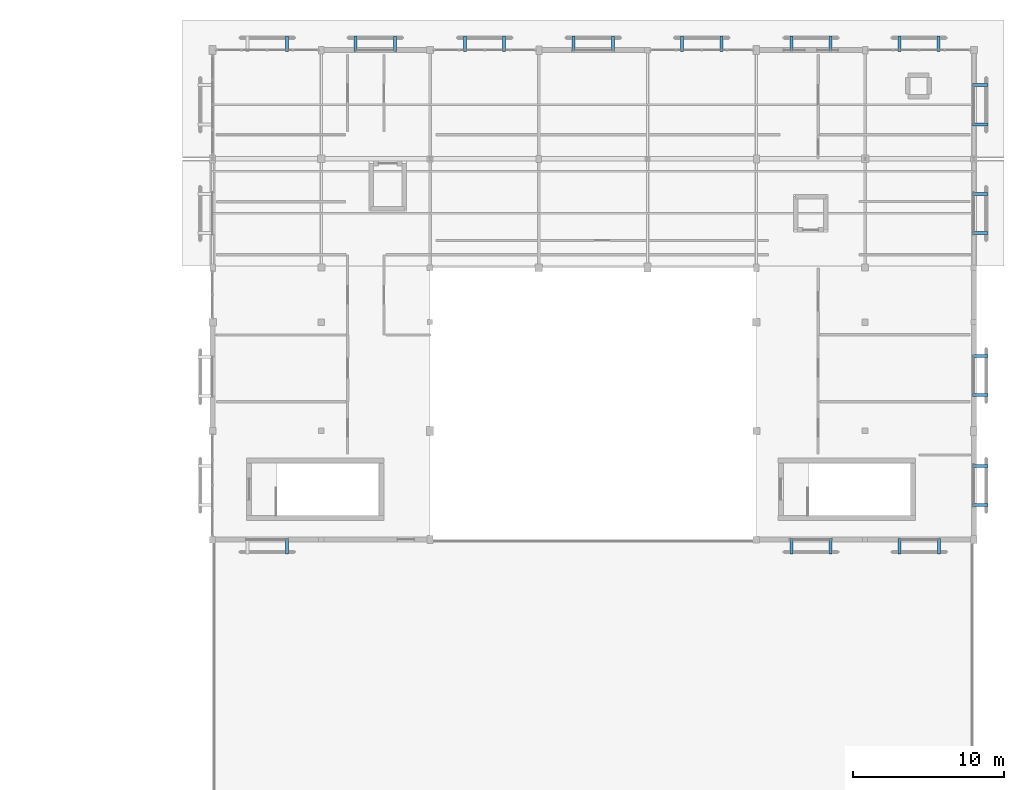
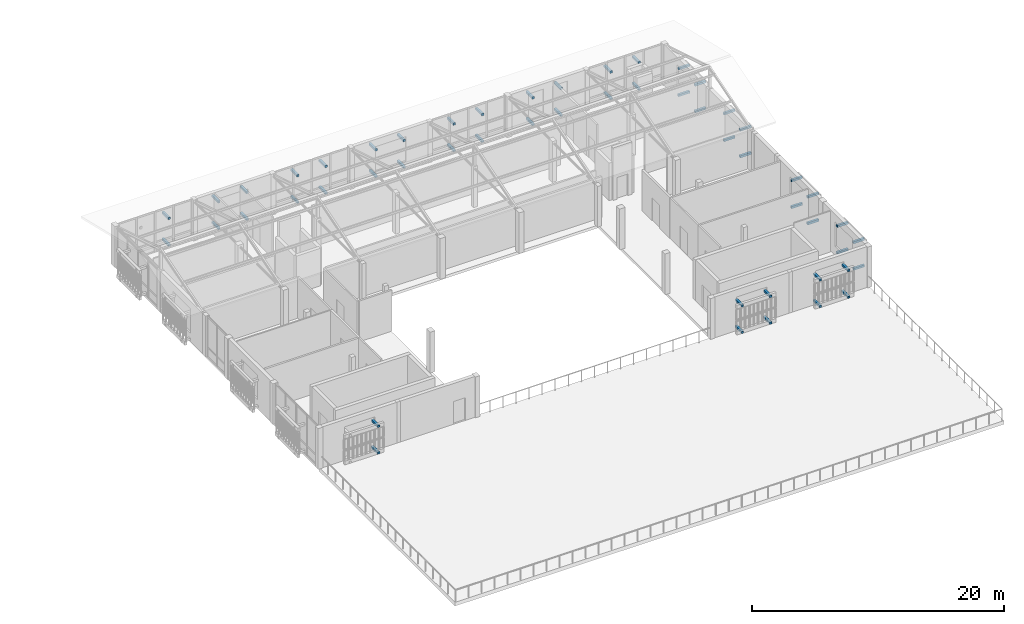
# One storey, part 55 of 61: 52 discrete accessories.
"""IFC4 building model written with IfcOpenShell, lengths in metres."""

from ifc_helpers import new_model, si_unit, direction, frame, origin, origin_2d, place, context, subcontext, project, spatial, rectangle, extrude, material, type_object, element, save


model = new_model("IFC4")

# Units and contexts
model_context = context("Model", 3, precision=1e-05, world=origin(), true_north=direction((0.0, 1.0)))
body_context = subcontext(model_context, "Body", "Model", "MODEL_VIEW")
ifc_project = project(units=[si_unit("LENGTHUNIT", "METRE"), si_unit("AREAUNIT", "SQUARE_METRE"), si_unit("VOLUMEUNIT", "CUBIC_METRE"), si_unit("PLANEANGLEUNIT", "RADIAN"), si_unit("MASSUNIT", "GRAM", prefix="KILO")], contexts=[model_context])

# Site, building, storey
site_placement = place(None, origin())
site = spatial("IfcSite", under=ifc_project, at=site_placement, CompositionType="ELEMENT")
building_placement = place(site_placement, origin())
building = spatial("IfcBuilding", under=site, at=building_placement, Name="Mazaris Harbour Polytechnic", CompositionType="ELEMENT")
storey_placement = place(building_placement, frame((0.0, 0.0, 18.0)))
storey = spatial("IfcBuildingStorey", under=building, at=storey_placement, Name="L04", CompositionType="ELEMENT", Elevation=18.0)

# Discrete accessories
ifc_material = material(Name="Stainless Steel S355", Category="steel")
discrete_accessory_type = type_object("IfcDiscreteAccessoryType", Name="Stainless Screen Outrigger Bracket 200x1020x200", PredefinedType="BRACKET", material=ifc_material)
for number, where, z_axis, x_axis, name in (
    (1, (127.31591796875, 67.9599609375, 0.16015625), (0.0, 0.0, 1.0), (-1.0, 0.0, 0.0), "Screen Outrigger Bracket 1937"),
    (2, (127.31591796875, 67.9599609375, 2.740234375), (0.0, 0.0, 1.0), (-1.0, 0.0, 0.0), "Screen Outrigger Bracket 1938"),
    (3, (163.31591796875, 67.9599609375, 0.16015625), (0.0, 0.0, 1.0), (-1.0, 0.0, 0.0), "Screen Outrigger Bracket 1941"),
    (4, (163.31591796875, 67.9599609375, 2.740234375), (0.0, 0.0, 1.0), (-1.0, 0.0, 0.0), "Screen Outrigger Bracket 1942"),
    (5, (160.72412109375, 67.9599609375, 0.16015625), (0.0, 0.0, 1.0), (-1.0, 0.0, 0.0), "Screen Outrigger Bracket 1943"),
    (6, (160.72412109375, 67.9599609375, 2.740234375), (0.0, 0.0, 1.0), (-1.0, 0.0, 0.0), "Screen Outrigger Bracket 1944"),
    (7, (170.48095703125, 67.9599609375, 0.16015625), (0.0, 0.0, 1.0), (-1.0, 0.0, 0.0), "Screen Outrigger Bracket 1945"),
    (8, (170.48095703125, 67.9599609375, 2.740234375), (0.0, 0.0, 1.0), (-1.0, 0.0, 0.0), "Screen Outrigger Bracket 1946"),
    (9, (167.888916015625, 67.9599609375, 0.16015625), (0.0, 0.0, 1.0), (-1.0, 0.0, 0.0), "Screen Outrigger Bracket 1947"),
    (10, (167.888916015625, 67.9599609375, 2.740234375), (0.0, 0.0, 1.0), (-1.0, 0.0, 0.0), "Screen Outrigger Bracket 1948"),
    (11, (127.31591796875, 101.239990234375, 0.16015625), (0.0, 0.0, 1.0), (1.0, 0.0, 0.0), "Screen Outrigger Bracket 1951"),
    (12, (127.31591796875, 101.239990234375, 2.740234375), (0.0, 0.0, 1.0), (1.0, 0.0, 0.0), "Screen Outrigger Bracket 1952"),
    (13, (131.87890625, 101.239990234375, 0.16015625), (0.0, 0.0, 1.0), (1.0, 0.0, 0.0), "Screen Outrigger Bracket 1953"),
    (14, (131.87890625, 101.239990234375, 2.740234375), (0.0, 0.0, 1.0), (1.0, 0.0, 0.0), "Screen Outrigger Bracket 1954"),
    (15, (134.470947265625, 101.239990234375, 0.16015625), (0.0, 0.0, 1.0), (1.0, 0.0, 0.0), "Screen Outrigger Bracket 1955"),
    (16, (134.470947265625, 101.239990234375, 2.740234375), (0.0, 0.0, 1.0), (1.0, 0.0, 0.0), "Screen Outrigger Bracket 1956"),
    (17, (139.118896484375, 101.239990234375, 0.16015625), (0.0, 0.0, 1.0), (1.0, 0.0, 0.0), "Screen Outrigger Bracket 1957"),
    (18, (139.118896484375, 101.239990234375, 2.740234375), (0.0, 0.0, 1.0), (1.0, 0.0, 0.0), "Screen Outrigger Bracket 1958"),
    (19, (141.7109375, 101.239990234375, 0.16015625), (0.0, 0.0, 1.0), (1.0, 0.0, 0.0), "Screen Outrigger Bracket 1959"),
    (20, (141.7109375, 101.239990234375, 2.740234375), (0.0, 0.0, 1.0), (1.0, 0.0, 0.0), "Screen Outrigger Bracket 1960"),
    (21, (146.30908203125, 101.239990234375, 0.16015625), (0.0, 0.0, 1.0), (1.0, 0.0, 0.0), "Screen Outrigger Bracket 1961"),
    (22, (146.30908203125, 101.239990234375, 2.740234375), (0.0, 0.0, 1.0), (1.0, 0.0, 0.0), "Screen Outrigger Bracket 1962"),
    (23, (148.90087890625, 101.239990234375, 0.16015625), (0.0, 0.0, 1.0), (1.0, 0.0, 0.0), "Screen Outrigger Bracket 1963"),
    (24, (148.90087890625, 101.239990234375, 2.740234375), (0.0, 0.0, 1.0), (1.0, 0.0, 0.0), "Screen Outrigger Bracket 1964"),
    (25, (153.489013671875, 101.239990234375, 0.16015625), (0.0, 0.0, 1.0), (1.0, 0.0, 0.0), "Screen Outrigger Bracket 1965"),
    (26, (153.489013671875, 101.239990234375, 2.740234375), (0.0, 0.0, 1.0), (1.0, 0.0, 0.0), "Screen Outrigger Bracket 1966"),
    (27, (156.0810546875, 101.239990234375, 0.16015625), (0.0, 0.0, 1.0), (1.0, 0.0, 0.0), "Screen Outrigger Bracket 1967"),
    (28, (156.0810546875, 101.239990234375, 2.740234375), (0.0, 0.0, 1.0), (1.0, 0.0, 0.0), "Screen Outrigger Bracket 1968"),
    (29, (160.72412109375, 101.239990234375, 0.16015625), (0.0, 0.0, 1.0), (1.0, 0.0, 0.0), "Screen Outrigger Bracket 1969"),
    (30, (160.72412109375, 101.239990234375, 2.740234375), (0.0, 0.0, 1.0), (1.0, 0.0, 0.0), "Screen Outrigger Bracket 1970"),
    (31, (163.31591796875, 101.239990234375, 0.16015625), (0.0, 0.0, 1.0), (1.0, 0.0, 0.0), "Screen Outrigger Bracket 1971"),
    (32, (163.31591796875, 101.239990234375, 2.740234375), (0.0, 0.0, 1.0), (1.0, 0.0, 0.0), "Screen Outrigger Bracket 1972"),
    (33, (167.87890625, 101.239990234375, 0.16015625), (0.0, 0.0, 1.0), (1.0, 0.0, 0.0), "Screen Outrigger Bracket 1973"),
    (34, (167.87890625, 101.239990234375, 2.740234375), (0.0, 0.0, 1.0), (1.0, 0.0, 0.0), "Screen Outrigger Bracket 1974"),
    (35, (170.470947265625, 101.239990234375, 0.16015625), (0.0, 0.0, 1.0), (1.0, 0.0, 0.0), "Screen Outrigger Bracket 1975"),
    (36, (170.470947265625, 101.239990234375, 2.740234375), (0.0, 0.0, 1.0), (1.0, 0.0, 0.0), "Screen Outrigger Bracket 1976"),
    (37, (173.239990234375, 73.281005859375, 0.16015625), (0.0, 0.0, 1.0), (0.0, -1.0, 0.0), "Screen Outrigger Bracket 1993"),
    (38, (173.239990234375, 73.281005859375, 2.740234375), (0.0, 0.0, 1.0), (0.0, -1.0, 0.0), "Screen Outrigger Bracket 1994"),
    (39, (173.239990234375, 70.68896484375, 0.16015625), (0.0, 0.0, 1.0), (0.0, -1.0, 0.0), "Screen Outrigger Bracket 1995"),
    (40, (173.239990234375, 70.68896484375, 2.740234375), (0.0, 0.0, 1.0), (0.0, -1.0, 0.0), "Screen Outrigger Bracket 1996"),
    (41, (173.239990234375, 80.56103515625, 0.16015625), (0.0, 0.0, 1.0), (0.0, -1.0, 0.0), "Screen Outrigger Bracket 1997"),
    (42, (173.239990234375, 80.56103515625, 2.740234375), (0.0, 0.0, 1.0), (0.0, -1.0, 0.0), "Screen Outrigger Bracket 1998"),
    (43, (173.239990234375, 77.968994140625, 0.16015625), (0.0, 0.0, 1.0), (0.0, -1.0, 0.0), "Screen Outrigger Bracket 1999"),
    (44, (173.239990234375, 77.968994140625, 2.740234375), (0.0, 0.0, 1.0), (0.0, -1.0, 0.0), "Screen Outrigger Bracket 2000"),
    (45, (173.239990234375, 91.285888671875, 0.16015625), (0.0, 0.0, 1.0), (0.0, -1.0, 0.0), "Screen Outrigger Bracket 2001"),
    (46, (173.239990234375, 91.285888671875, 2.740234375), (0.0, 0.0, 1.0), (0.0, -1.0, 0.0), "Screen Outrigger Bracket 2002"),
    (47, (173.239990234375, 88.694091796875, 0.16015625), (0.0, 0.0, 1.0), (0.0, -1.0, 0.0), "Screen Outrigger Bracket 2003"),
    (48, (173.239990234375, 88.694091796875, 2.740234375), (0.0, 0.0, 1.0), (0.0, -1.0, 0.0), "Screen Outrigger Bracket 2004"),
    (49, (173.239990234375, 98.486083984375, 0.16015625), (0.0, 0.0, 1.0), (0.0, -1.0, 0.0), "Screen Outrigger Bracket 2005"),
    (50, (173.239990234375, 98.486083984375, 2.740234375), (0.0, 0.0, 1.0), (0.0, -1.0, 0.0), "Screen Outrigger Bracket 2006"),
    (51, (173.239990234375, 95.89404296875, 0.16015625), (0.0, 0.0, 1.0), (0.0, -1.0, 0.0), "Screen Outrigger Bracket 2007"),
    (52, (173.239990234375, 95.89404296875, 2.740234375), (0.0, 0.0, 1.0), (0.0, -1.0, 0.0), "Screen Outrigger Bracket 2008"),
):
    element("IfcDiscreteAccessory", number, at=place(storey_placement, frame(where, z_axis=z_axis, x_axis=x_axis)), inside=storey, type_object=discrete_accessory_type, Name=name, PredefinedType="BRACKET", context=body_context, shape_type="SweptSolid", body=[
        extrude(rectangle(XDim=0.199951171875, YDim=1.02001953125, at=origin_2d()), origin(), (0.0, 0.0, 1.0), 0.199951171875),
    ])

save(model, "model.ifc")
